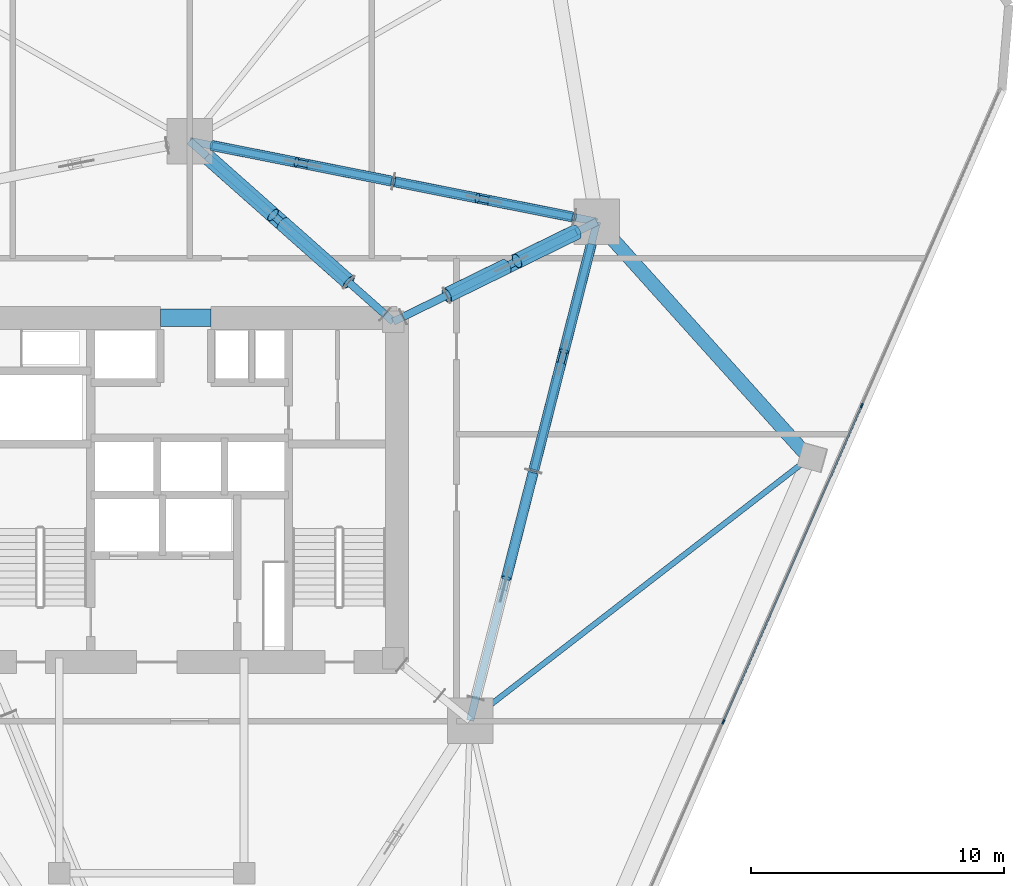
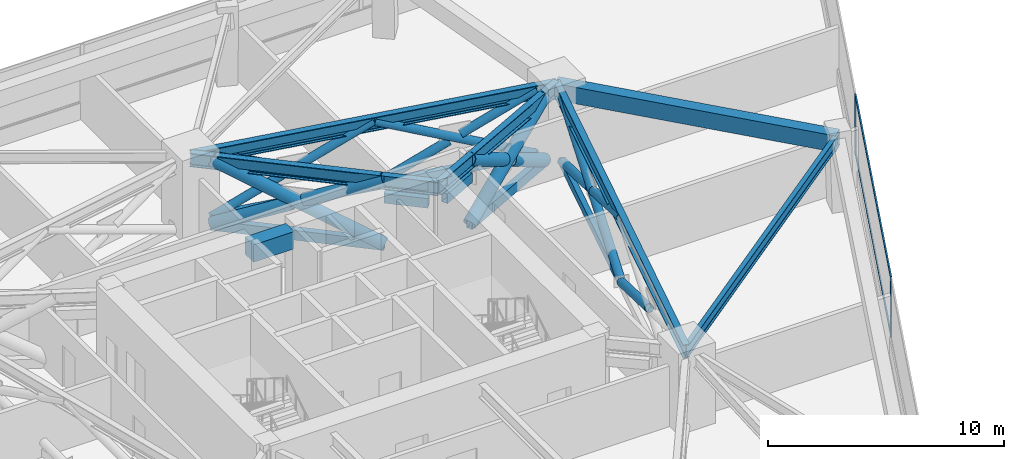
# One storey, part 10 of 20: 34 members, 7 beams, 1 element without a shape of its own.
"""IFC4 building model written with IfcOpenShell, lengths in metres."""

from ifc_helpers import new_model, si_unit, direction, frame, origin, origin_2d, place, context, subcontext, project, spatial, rectangle, hollow_rectangle, hollow_circle, i_section, extrude, material, layer, layer_set, material_profile, profile_set, type_object, element, aggregate, save


model = new_model("IFC4")

# Units and contexts
model_context = context("Model", 3, precision=1e-05, world=origin(), true_north=direction((0.0, 1.0)))
body_context = subcontext(model_context, "Body", "Model", "MODEL_VIEW")
ifc_project = project(units=[si_unit("LENGTHUNIT", "METRE"), si_unit("AREAUNIT", "SQUARE_METRE"), si_unit("VOLUMEUNIT", "CUBIC_METRE"), si_unit("PLANEANGLEUNIT", "RADIAN"), si_unit("MASSUNIT", "GRAM", prefix="KILO")], contexts=[model_context])

# Site, building, storey
site_placement = place(None, origin())
site = spatial("IfcSite", under=ifc_project, at=site_placement, CompositionType="ELEMENT")
building_placement = place(site_placement, origin())
building = spatial("IfcBuilding", under=site, at=building_placement, Name="Talyreon Biosciences Tower", CompositionType="ELEMENT")
storey_placement = place(building_placement, frame((0.0, 0.0, 66.60009765625)))
storey = spatial("IfcBuildingStorey", under=building, at=storey_placement, Name="L17", CompositionType="ELEMENT", Elevation=66.60009765625)

# Members
ifc_material_1 = material(Name="Steel SM355", Category="steel")
ifc_material_profile_1 = material_profile(ifc_material_1, hollow_circle(Radius=0.203125, WallThickness=0.01611328125, at=origin_2d()), Name="CHS 406.4x16")
ifc_profile_set_1 = profile_set([ifc_material_profile_1], Name="Steel SM355")
member_type_1 = type_object("IfcMemberType", Name="BeltBrace_CHS406", PredefinedType="BRACE", material=ifc_profile_set_1)
member_1_placement = place(storey_placement, frame((79.59423828125, 68.739501953125, 0.239990234375), z_axis=(-0.231756161713, -0.911052333734, 0.340987868854), x_axis=(0.969134816026, -0.246531353719, 0.0)))
element("IfcMember", 1, at=member_1_placement, inside=storey, type_object=member_type_1, Name="L17 Split Diagonal BELT-L17-B2S1B-Lower", PredefinedType="BRACE", context=body_context, shape_type="SweptSolid", body=[
    extrude(hollow_circle(Radius=0.203125, WallThickness=0.01611328125, at=origin_2d()), origin(), (0.0, 0.0, 1.0), 4.646728515625),
])
member_2_placement = place(storey_placement, frame((79.59423828125, 68.739501953125, 0.239990234375), z_axis=(0.231759370817, 0.911056641468, 0.340974178018), x_axis=(-0.969134278925, 0.246533465097, 0.0)))
element("IfcMember", 2, at=member_2_placement, inside=storey, type_object=member_type_1, Name="L17 Continuous Diagonal BELT-L17-B2S2A", PredefinedType="BRACE", context=body_context, shape_type="SweptSolid", body=[
    extrude(hollow_circle(Radius=0.203125, WallThickness=0.01611328125, at=origin_2d()), origin(), (0.0, 0.0, 1.0), 9.853759765625),
])
member_3_placement = place(storey_placement, frame((81.8779296875, 77.716796875, 0.239990234375), z_axis=(-0.231756161713, -0.911052333734, 0.340987868854), x_axis=(0.969134816026, -0.246531353719, 0.0)))
element("IfcMember", 3, at=member_3_placement, inside=storey, type_object=member_type_1, Name="L17 Split Diagonal BELT-L17-B2S2B-Lower", PredefinedType="BRACE", context=body_context, shape_type="SweptSolid", body=[
    extrude(hollow_circle(Radius=0.203125, WallThickness=0.01611328125, at=origin_2d()), origin(), (0.0, 0.0, 1.0), 4.646728515625),
])
member_4_placement = place(storey_placement, frame((80.67138671875, 72.97314453125, 2.015380859375), z_axis=(-0.23179478417, -0.911050170511, 0.340967395572), x_axis=(0.969124859398, -0.246570490725, 0.0)))
element("IfcMember", 4, at=member_4_placement, inside=storey, type_object=member_type_1, Name="L17 Split Diagonal BELT-L17-B2S2B-Upper", PredefinedType="BRACE", context=body_context, shape_type="SweptSolid", body=[
    extrude(hollow_circle(Radius=0.203125, WallThickness=0.01611328125, at=origin_2d()), origin(), (0.0, 0.0, 1.0), 4.64697265625),
])
member_5_placement = place(storey_placement, frame((81.209716796875, 78.775634765625, 0.239990234375), z_axis=(-0.891031361206, 0.176528807928, 0.418211302238), x_axis=(-0.194340124852, -0.98093420568, 0.0)))
element("IfcMember", 5, at=member_5_placement, inside=storey, type_object=member_type_1, Name="L17 Continuous Diagonal BELT-L17-B3S1A", PredefinedType="BRACE", context=body_context, shape_type="SweptSolid", body=[
    extrude(hollow_circle(Radius=0.203125, WallThickness=0.01611328125, at=origin_2d()), origin(), (0.0, 0.0, 1.0), 8.033935546875),
])
for number, where, z_axis, x_axis, name in (
    (6, (74.05126953125, 80.19384765625, 0.239990234375), (0.891046073694, -0.176523681437, 0.418182118756), (0.194331606682, 0.980935893239, 0.0), "L17 Split Diagonal BELT-L17-B3S1B-Lower"),
    (7, (77.8798828125, 79.435302734375, 2.037109375), (0.891046073694, -0.176523681437, 0.418182118756), (0.194331606682, 0.980935893239, 0.0), "L17 Split Diagonal BELT-L17-B3S1B-Upper"),
):
    element("IfcMember", number, at=place(storey_placement, frame(where, z_axis=z_axis, x_axis=x_axis)), inside=storey, type_object=member_type_1, Name=name, PredefinedType="BRACE", context=body_context, shape_type="SweptSolid", body=[
        extrude(hollow_circle(Radius=0.203125, WallThickness=0.01611328125, at=origin_2d()), origin(), (0.0, 0.0, 1.0), 3.737060546875),
    ])
member_6_placement = place(storey_placement, frame((74.05126953125, 80.19384765625, 0.239990234375), z_axis=(-0.891037622972, 0.176524028096, 0.418199978424), x_axis=(-0.194333747367, -0.980935469149, 0.0)))
element("IfcMember", 8, at=member_6_placement, inside=storey, type_object=member_type_1, Name="L17 Continuous Diagonal BELT-L17-B3S2A", PredefinedType="BRACE", context=body_context, shape_type="SweptSolid", body=[
    extrude(hollow_circle(Radius=0.203125, WallThickness=0.01611328125, at=origin_2d()), origin(), (0.0, 0.0, 1.0), 8.0341796875),
])
for number, where, z_axis, x_axis, name in (
    (9, (66.892578125, 81.612060546875, 0.239990234375), (0.891046073694, -0.176523681437, 0.418182118756), (0.194331606682, 0.980935893239, 0.0), "L17 Split Diagonal BELT-L17-B3S2B-Lower"),
    (10, (70.721435546875, 80.853515625, 2.037109375), (0.891046073694, -0.176523681437, 0.418182118756), (0.194331606682, 0.980935893239, 0.0), "L17 Split Diagonal BELT-L17-B3S2B-Upper"),
):
    element("IfcMember", number, at=place(storey_placement, frame(where, z_axis=z_axis, x_axis=x_axis)), inside=storey, type_object=member_type_1, Name=name, PredefinedType="BRACE", context=body_context, shape_type="SweptSolid", body=[
        extrude(hollow_circle(Radius=0.203125, WallThickness=0.01611328125, at=origin_2d()), origin(), (0.0, 0.0, 1.0), 3.737060546875),
    ])
ifc_material_profile_2 = material_profile(ifc_material_1, hollow_rectangle(XDim=0.25, YDim=0.39990234375, WallThickness=0.01611328125, at=origin_2d()), Name="RHS 400x250x16")
ifc_profile_set_2 = profile_set([ifc_material_profile_2], Name="Steel SM355")
member_type_2 = type_object("IfcMemberType", Name="BeltChord_RHS400x250", PredefinedType="CHORD", material=ifc_profile_set_2)
for number, where, z_axis, x_axis, name in (
    (11, (79.59423828125, 68.739501953125, 0.239990234375), (0.246533465097, 0.969134278925, 0.0), (-0.969134278925, 0.246533465097, 0.0), "L17 Truss Bottom Chord BELT-L17-B2S2"),
    (12, (79.59423828125, 68.739501953125, 3.599853515625), (0.246533465097, 0.969134278925, 0.0), (-0.969134278925, 0.246533465097, 0.0), "L17 Truss Top Chord BELT-L17-B2S2"),
):
    element("IfcMember", number, at=place(storey_placement, frame(where, z_axis=z_axis, x_axis=x_axis)), inside=storey, type_object=member_type_2, Name=name, PredefinedType="CHORD", context=body_context, shape_type="SweptSolid", body=[
        extrude(hollow_rectangle(XDim=0.25, YDim=0.39990234375, WallThickness=0.01611328125, at=origin_2d()), origin(), (0.0, 0.0, 1.0), 9.26318359375),
    ])
for number, where, z_axis, x_axis, name in (
    (13, (81.209716796875, 78.775634765625, 0.239990234375), (-0.98093420568, 0.194340124852, 0.0), (-0.194340124852, -0.98093420568, 0.0), "L17 Truss Bottom Chord BELT-L17-B3S1"),
    (14, (81.209716796875, 78.775634765625, 3.599853515625), (-0.98093420568, 0.194340124852, 0.0), (-0.194340124852, -0.98093420568, 0.0), "L17 Truss Top Chord BELT-L17-B3S1"),
):
    element("IfcMember", number, at=place(storey_placement, frame(where, z_axis=z_axis, x_axis=x_axis)), inside=storey, type_object=member_type_2, Name=name, PredefinedType="CHORD", context=body_context, shape_type="SweptSolid", body=[
        extrude(hollow_rectangle(XDim=0.25, YDim=0.39990234375, WallThickness=0.01611328125, at=origin_2d()), origin(), (0.0, 0.0, 1.0), 7.297607421875),
    ])
for number, where, z_axis, x_axis, name in (
    (15, (74.05126953125, 80.19384765625, 0.239990234375), (-0.980935469149, 0.194333747367, 0.0), (-0.194333747367, -0.980935469149, 0.0), "L17 Truss Bottom Chord BELT-L17-B3S2"),
    (16, (74.05126953125, 80.19384765625, 3.599853515625), (-0.980935469149, 0.194333747367, 0.0), (-0.194333747367, -0.980935469149, 0.0), "L17 Truss Top Chord BELT-L17-B3S2"),
):
    element("IfcMember", number, at=place(storey_placement, frame(where, z_axis=z_axis, x_axis=x_axis)), inside=storey, type_object=member_type_2, Name=name, PredefinedType="CHORD", context=body_context, shape_type="SweptSolid", body=[
        extrude(hollow_rectangle(XDim=0.25, YDim=0.39990234375, WallThickness=0.01611328125, at=origin_2d()), origin(), (0.0, 0.0, 1.0), 7.2978515625),
    ])

# Curtain wall, members
ifc_material_2 = material(Name="Thermally broken aluminium and low-E glazing", Category="aluminium")
ifc_layer = layer(ifc_material_2, 0.195068359375)
ifc_layer_set = layer_set([ifc_layer], Name="Thermally broken aluminium and low-E glazing")
curtain_wall_type = type_object("IfcCurtainWallType", Name="CurtainWall_Zone1WetLab", PredefinedType="NOTDEFINED", material=ifc_layer_set)
curtain_wall_placement = place(storey_placement, origin())
curtain_wall = element("IfcCurtainWall", 17, at=curtain_wall_placement, inside=storey, type_object=curtain_wall_type, Name="L17 Unitised Curtain Wall FCW-L17-08", PredefinedType="NOTDEFINED")
ifc_material_3 = material(Name="Anodised thermally broken aluminium", Category="aluminium")
ifc_material_profile_3 = material_profile(ifc_material_3, rectangle(XDim=0.06494140625, YDim=0.179931640625, at=origin_2d()), Name="ALUM MULLION 65x180")
ifc_profile_set_3 = profile_set([ifc_material_profile_3], Name="Anodised thermally broken aluminium")
member_type_3 = type_object("IfcMemberType", Name="CWMullion_65x180", PredefinedType="MULLION", material=ifc_profile_set_3)
member_7_placement = place(storey_placement, frame((92.57080078125, 71.33251953125, 0.809814453125), z_axis=(0.0, 0.0, 1.0), x_axis=(0.916151953082, -0.400831135099, 0.0)))
member_7 = element("IfcMember", 18, at=member_7_placement, type_object=member_type_3, Name="CW2 mullion 2", PredefinedType="MULLION", context=body_context, shape_type="SweptSolid", body=[
    extrude(rectangle(XDim=0.06494140625, YDim=0.179931640625, at=origin_2d()), origin(), (0.0, 0.0, 1.0), 3.0400390625),
])
member_8_placement = place(storey_placement, frame((87.1005859375, 58.830078125, 0.809814453125), z_axis=(0.0, 0.0, 1.0), x_axis=(0.916151953082, -0.400831135099, 0.0)))
member_8 = element("IfcMember", 19, at=member_8_placement, type_object=member_type_3, Name="CW2 mullion 3", PredefinedType="MULLION", context=body_context, shape_type="SweptSolid", body=[
    extrude(rectangle(XDim=0.06494140625, YDim=0.179931640625, at=origin_2d()), origin(), (0.0, 0.0, 1.0), 3.0400390625),
])
ifc_material_profile_4 = material_profile(ifc_material_3, rectangle(XDim=0.06494140625, YDim=0.139892578125, at=origin_2d()), Name="ALUM TRANSOM 65x140")
ifc_profile_set_4 = profile_set([ifc_material_profile_4], Name="Anodised thermally broken aluminium")
member_type_4 = type_object("IfcMemberType", Name="CWTransom_65x140", PredefinedType="USERDEFINED", material=ifc_profile_set_4)
member_9_placement = place(storey_placement, frame((92.5576171875, 71.302734375, 0.84228515625), z_axis=(-0.40082449197, -0.916154859528, 0.0), x_axis=(0.916154859528, -0.40082449197, 0.0)))
member_9 = element("IfcMember", 20, at=member_9_placement, type_object=member_type_4, Name="CW2 transom 2.1", ObjectType="TRANSOM", PredefinedType="USERDEFINED", context=body_context, shape_type="SweptSolid", body=[
    extrude(rectangle(XDim=0.06494140625, YDim=0.139892578125, at=origin_2d()), origin(), (0.0, 0.0, 1.0), 13.58154296875),
])
member_10_placement = place(storey_placement, frame((92.5576171875, 71.302734375, 3.8173828125), z_axis=(-0.40082449197, -0.916154859528, 0.0), x_axis=(0.916154859528, -0.40082449197, 0.0)))
member_10 = element("IfcMember", 21, at=member_10_placement, type_object=member_type_4, Name="CW2 transom 2.2", ObjectType="TRANSOM", PredefinedType="USERDEFINED", context=body_context, shape_type="SweptSolid", body=[
    extrude(rectangle(XDim=0.06494140625, YDim=0.139892578125, at=origin_2d()), origin(), (0.0, 0.0, 1.0), 13.58154296875),
])
aggregate(curtain_wall, [member_7, member_8, member_9, member_10])

# Beams
ifc_material_4 = material(Name="Concrete C60/75", Category="concrete")
ifc_material_profile_5 = material_profile(ifc_material_4, rectangle(XDim=0.699951171875, YDim=0.89990234375, at=origin_2d()), Name="RCB 700x900")
ifc_profile_set_5 = profile_set([ifc_material_profile_5], Name="Concrete C60/75")
beam_type_1 = type_object("IfcBeamType", Name="CoreCouplingLintel_700x900", PredefinedType="LINTEL", material=ifc_profile_set_5)
beam_1_placement = place(storey_placement, frame((64.85009765625, 74.800048828125, 3.39990234375), z_axis=(1.0, 0.0, 0.0), x_axis=(0.0, 1.0, 0.0)))
element("IfcBeam", 22, at=beam_1_placement, inside=storey, type_object=beam_type_1, Name="L17 Core Coupling Lintel", PredefinedType="LINTEL", context=body_context, shape_type="SweptSolid", body=[
    extrude(rectangle(XDim=0.699951171875, YDim=0.89990234375, at=origin_2d()), origin(), (0.0, 0.0, 1.0), 2.0),
])
ifc_material_5 = material(Name="Precast concrete C45/55", Category="concrete")
ifc_material_profile_6 = material_profile(ifc_material_5, rectangle(XDim=0.550048828125, YDim=0.85009765625, at=origin_2d()), Name="RCB 550x850")
ifc_profile_set_6 = profile_set([ifc_material_profile_6], Name="Precast concrete C45/55")
beam_type_2 = type_object("IfcBeamType", Name="ExpressedSpandrel_550x850", PredefinedType="SPANDREL", material=ifc_profile_set_6)
beam_2_placement = place(storey_placement, frame((90.496337890625, 69.260986328125, 3.4248046875), z_axis=(-0.668531688498, 0.743683656855, 0.0), x_axis=(-0.743683656855, -0.668531688498, 0.0)))
element("IfcBeam", 23, at=beam_2_placement, inside=storey, type_object=beam_type_2, Name="L17 Expressed Horizontal Concrete Spandrel 04", PredefinedType="SPANDREL", context=body_context, shape_type="SweptSolid", body=[
    extrude(rectangle(XDim=0.550048828125, YDim=0.85009765625, at=origin_2d()), origin(), (0.0, 0.0, 1.0), 12.555908203125),
])

# Members
ifc_material_profile_7 = material_profile(ifc_material_1, hollow_circle(Radius=0.304931640625, WallThickness=0.02490234375, at=origin_2d()), Name="CHS 610x25")
ifc_profile_set_7 = profile_set([ifc_material_profile_7], Name="Steel SM355")
member_type_5 = type_object("IfcMemberType", Name="OutriggerBrace_CHS610", PredefinedType="BRACE", material=ifc_profile_set_7)
member_11_placement = place(storey_placement, frame((76.159912109375, 75.684814453125, 0.239990234375), z_axis=(0.773792800782, 0.379414265564, 0.507237140343), x_axis=(-0.440254576107, 0.897872991139, 0.0)))
element("IfcMember", 24, at=member_11_placement, inside=storey, type_object=member_type_5, Name="L17 Continuous Diagonal OUT-L17-R3A", PredefinedType="BRACE", context=body_context, shape_type="SweptSolid", body=[
    extrude(hollow_circle(Radius=0.304931640625, WallThickness=0.02490234375, at=origin_2d()), origin(), (0.0, 0.0, 1.0), 6.623779296875),
])
member_12_placement = place(storey_placement, frame((81.285400390625, 78.197998046875, 0.239990234375), z_axis=(-0.773779789709, -0.379441187336, 0.507236850388), x_axis=(0.440285727684, -0.897857715898, 0.0)))
element("IfcMember", 25, at=member_12_placement, inside=storey, type_object=member_type_5, Name="L17 Split Diagonal OUT-L17-R3B-Lower", PredefinedType="BRACE", context=body_context, shape_type="SweptSolid", body=[
    extrude(hollow_circle(Radius=0.304931640625, WallThickness=0.02490234375, at=origin_2d()), origin(), (0.0, 0.0, 1.0), 3.03173828125),
])
member_13_placement = place(storey_placement, frame((78.506103515625, 76.835205078125, 2.06201171875), z_axis=(-0.773812099169, -0.379417545399, 0.507205245855), x_axis=(0.440248792574, -0.897875826959, 0.0)))
element("IfcMember", 26, at=member_13_placement, inside=storey, type_object=member_type_5, Name="L17 Split Diagonal OUT-L17-R3B-Upper", PredefinedType="BRACE", context=body_context, shape_type="SweptSolid", body=[
    extrude(hollow_circle(Radius=0.304931640625, WallThickness=0.02490234375, at=origin_2d()), origin(), (0.0, 0.0, 1.0), 3.031982421875),
])
member_14_placement = place(storey_placement, frame((72.291748046875, 76.209228515625, 0.239990234375), z_axis=(-0.682782566463, 0.605508288533, 0.408861442853), x_axis=(-0.663500580124, -0.748175768236, 0.0)))
element("IfcMember", 27, at=member_14_placement, inside=storey, type_object=member_type_5, Name="L17 Continuous Diagonal OUT-L17-R4A", PredefinedType="BRACE", context=body_context, shape_type="SweptSolid", body=[
    extrude(hollow_circle(Radius=0.304931640625, WallThickness=0.02490234375, at=origin_2d()), origin(), (0.0, 0.0, 1.0), 8.217529296875),
])
for number, where, z_axis, x_axis, name in (
    (28, (66.680908203125, 81.18505859375, 0.239990234375), (0.6827878915, -0.605505586261, 0.408856552139), (0.663496026005, 0.748179806915, 0.0), "L17 Split Diagonal OUT-L17-R4B-Lower"),
    (29, (69.677490234375, 78.527587890625, 2.034423828125), (0.6827878915, -0.605505586261, 0.408856552139), (0.663496026005, 0.748179806915, 0.0), "L17 Split Diagonal OUT-L17-R4B-Upper"),
):
    element("IfcMember", number, at=place(storey_placement, frame(where, z_axis=z_axis, x_axis=x_axis)), inside=storey, type_object=member_type_5, Name=name, PredefinedType="BRACE", context=body_context, shape_type="SweptSolid", body=[
        extrude(hollow_circle(Radius=0.304931640625, WallThickness=0.02490234375, at=origin_2d()), origin(), (0.0, 0.0, 1.0), 3.828857421875),
    ])
ifc_material_profile_8 = material_profile(ifc_material_1, hollow_rectangle(XDim=0.300048828125, YDim=0.5, WallThickness=0.02001953125, at=origin_2d()), Name="RHS 500x300x20")
ifc_profile_set_8 = profile_set([ifc_material_profile_8], Name="Steel SM355")
member_type_6 = type_object("IfcMemberType", Name="OutriggerChord_RHS500x300", PredefinedType="CHORD", material=ifc_profile_set_8)
for number, where, z_axis, x_axis, name in (
    (30, (74.440673828125, 74.841552734375, 3.599853515625), (0.897817943666, 0.4403668244, 0.0), (-0.4403668244, 0.897817943666, 0.0), "L17 Outrigger Core Top Tie 3"),
    (31, (74.440673828125, 74.841552734375, 2.699951171875), (0.897817943666, 0.4403668244, 0.0), (-0.4403668244, 0.897817943666, 0.0), "L17 Outrigger Core Plenum Tie 3"),
):
    element("IfcMember", number, at=place(storey_placement, frame(where, z_axis=z_axis, x_axis=x_axis)), inside=storey, type_object=member_type_6, Name=name, PredefinedType="CHORD", context=body_context, shape_type="SweptSolid", body=[
        extrude(hollow_rectangle(XDim=0.300048828125, YDim=0.5, WallThickness=0.02001953125, at=origin_2d()), origin(), (0.0, 0.0, 1.0), 1.914794921875),
    ])
for number, where, z_axis, x_axis, name in (
    (32, (76.159912109375, 75.684814453125, 0.239990234375), (0.897872991139, 0.440254576107, 0.0), (-0.440254576107, 0.897872991139, 0.0), "L17 Truss Bottom Chord OUT-L17-R3"),
    (33, (76.159912109375, 75.684814453125, 3.599853515625), (0.897872991139, 0.440254576107, 0.0), (-0.440254576107, 0.897872991139, 0.0), "L17 Truss Top Chord OUT-L17-R3"),
):
    element("IfcMember", number, at=place(storey_placement, frame(where, z_axis=z_axis, x_axis=x_axis)), inside=storey, type_object=member_type_6, Name=name, PredefinedType="CHORD", context=body_context, shape_type="SweptSolid", body=[
        extrude(hollow_rectangle(XDim=0.300048828125, YDim=0.5, WallThickness=0.02001953125, at=origin_2d()), origin(), (0.0, 0.0, 1.0), 5.70849609375),
    ])
for number, where, z_axis, x_axis, name in (
    (34, (73.724609375, 74.938720703125, 3.599853515625), (-0.748224675617, 0.663445427144, 0.0), (-0.663445427144, -0.748224675617, 0.0), "L17 Outrigger Core Top Tie 4"),
    (35, (73.724609375, 74.938720703125, 2.699951171875), (-0.748224675617, 0.663445427144, 0.0), (-0.663445427144, -0.748224675617, 0.0), "L17 Outrigger Core Plenum Tie 4"),
):
    element("IfcMember", number, at=place(storey_placement, frame(where, z_axis=z_axis, x_axis=x_axis)), inside=storey, type_object=member_type_6, Name=name, PredefinedType="CHORD", context=body_context, shape_type="SweptSolid", body=[
        extrude(hollow_rectangle(XDim=0.300048828125, YDim=0.5, WallThickness=0.02001953125, at=origin_2d()), origin(), (0.0, 0.0, 1.0), 1.9150390625),
    ])
for number, where, z_axis, x_axis, name in (
    (36, (72.291748046875, 76.209228515625, 0.239990234375), (-0.748175768236, 0.663500580124, 0.0), (-0.663500580124, -0.748175768236, 0.0), "L17 Truss Bottom Chord OUT-L17-R4"),
    (37, (72.291748046875, 76.209228515625, 3.599853515625), (-0.748175768236, 0.663500580124, 0.0), (-0.663500580124, -0.748175768236, 0.0), "L17 Truss Top Chord OUT-L17-R4"),
):
    element("IfcMember", number, at=place(storey_placement, frame(where, z_axis=z_axis, x_axis=x_axis)), inside=storey, type_object=member_type_6, Name=name, PredefinedType="CHORD", context=body_context, shape_type="SweptSolid", body=[
        extrude(hollow_rectangle(XDim=0.300048828125, YDim=0.5, WallThickness=0.02001953125, at=origin_2d()), origin(), (0.0, 0.0, 1.0), 7.499267578125),
    ])

# Beams
ifc_material_profile_9 = material_profile(ifc_material_1, i_section(OverallWidth=0.300048828125, OverallDepth=0.699951171875, WebThickness=0.01708984375, FlangeThickness=0.031982421875, FilletRadius=0.027099609375, at=origin_2d()), Name="HE700B")
ifc_profile_set_9 = profile_set([ifc_material_profile_9], Name="Steel SM355")
beam_type_3 = type_object("IfcBeamType", Name="SteelGirder_HE700B", PredefinedType="BEAM", material=ifc_profile_set_9)
beam_3_placement = place(storey_placement, frame((77.086181640625, 58.88037109375, 3.5), z_axis=(0.246537082299, 0.969133358755, 0.0), x_axis=(-0.969133358755, 0.246537082299, 0.0)))
element("IfcBeam", 38, at=beam_3_placement, inside=storey, type_object=beam_type_3, Name="L17 Mega-Ring Girder 2", PredefinedType="BEAM", context=body_context, shape_type="SweptSolid", body=[
    extrude(i_section(OverallWidth=0.300048828125, OverallDepth=0.699951171875, WebThickness=0.01708984375, FlangeThickness=0.031982421875, FilletRadius=0.027099609375, at=origin_2d()), origin(), (0.0, 0.0, 1.0), 20.34619140625),
])
beam_4_placement = place(storey_placement, frame((82.102294921875, 78.5986328125, 3.5), z_axis=(-0.980933730698, 0.194342522311, 0.0), x_axis=(-0.194342522311, -0.980933730698, 0.0)))
element("IfcBeam", 39, at=beam_4_placement, inside=storey, type_object=beam_type_3, Name="L17 Mega-Ring Girder 3", PredefinedType="BEAM", context=body_context, shape_type="SweptSolid", body=[
    extrude(i_section(OverallWidth=0.300048828125, OverallDepth=0.699951171875, WebThickness=0.01708984375, FlangeThickness=0.031982421875, FilletRadius=0.027099609375, at=origin_2d()), origin(), (0.0, 0.0, 1.0), 16.415283203125),
])
beam_5_placement = place(storey_placement, frame((74.050048828125, 74.64990234375, 3.5), z_axis=(0.897852360314, 0.440296648952, 0.0), x_axis=(-0.440296648952, 0.897852360314, 0.0)))
element("IfcBeam", 40, at=beam_5_placement, inside=storey, type_object=beam_type_3, Name="L17 Radial Primary Girder 3", PredefinedType="BEAM", context=body_context, shape_type="SweptSolid", body=[
    extrude(i_section(OverallWidth=0.300048828125, OverallDepth=0.699951171875, WebThickness=0.01708984375, FlangeThickness=0.031982421875, FilletRadius=0.027099609375, at=origin_2d()), origin(), (0.0, 0.0, 1.0), 8.96826171875),
])
beam_6_placement = place(storey_placement, frame((74.050048828125, 74.64990234375, 3.5), z_axis=(-0.748178733955, 0.663497235908, 0.0), x_axis=(-0.663497235908, -0.748178733955, 0.0)))
element("IfcBeam", 41, at=beam_6_placement, inside=storey, type_object=beam_type_3, Name="L17 Radial Primary Girder 4", PredefinedType="BEAM", context=body_context, shape_type="SweptSolid", body=[
    extrude(i_section(OverallWidth=0.300048828125, OverallDepth=0.699951171875, WebThickness=0.01708984375, FlangeThickness=0.031982421875, FilletRadius=0.027099609375, at=origin_2d()), origin(), (0.0, 0.0, 1.0), 10.759521484375),
])
ifc_material_profile_10 = material_profile(ifc_material_1, i_section(OverallWidth=0.219970703125, OverallDepth=0.60009765625, WebThickness=0.011962890625, FlangeThickness=0.01904296875, FilletRadius=0.02392578125, at=origin_2d()), Name="IPE600")
ifc_profile_set_10 = profile_set([ifc_material_profile_10], Name="Steel SM355")
beam_type_4 = type_object("IfcBeamType", Name="SteelJoist_IPE600", PredefinedType="JOIST", material=ifc_profile_set_10)
beam_7_placement = place(storey_placement, frame((77.086181640625, 58.88037109375, 3.5498046875), z_axis=(0.79076484372, 0.612120055166, 0.0), x_axis=(-0.612120055166, 0.79076484372, 0.0)))
element("IfcBeam", 42, at=beam_7_placement, inside=storey, type_object=beam_type_4, Name="L17 Radial Composite Floor Joist PC-SE2", PredefinedType="JOIST", context=body_context, shape_type="SweptSolid", body=[
    extrude(i_section(OverallWidth=0.219970703125, OverallDepth=0.60009765625, WebThickness=0.011962890625, FlangeThickness=0.01904296875, FilletRadius=0.02392578125, at=origin_2d()), origin(), (0.0, 0.0, 1.0), 16.95849609375),
])

save(model, "model.ifc")
